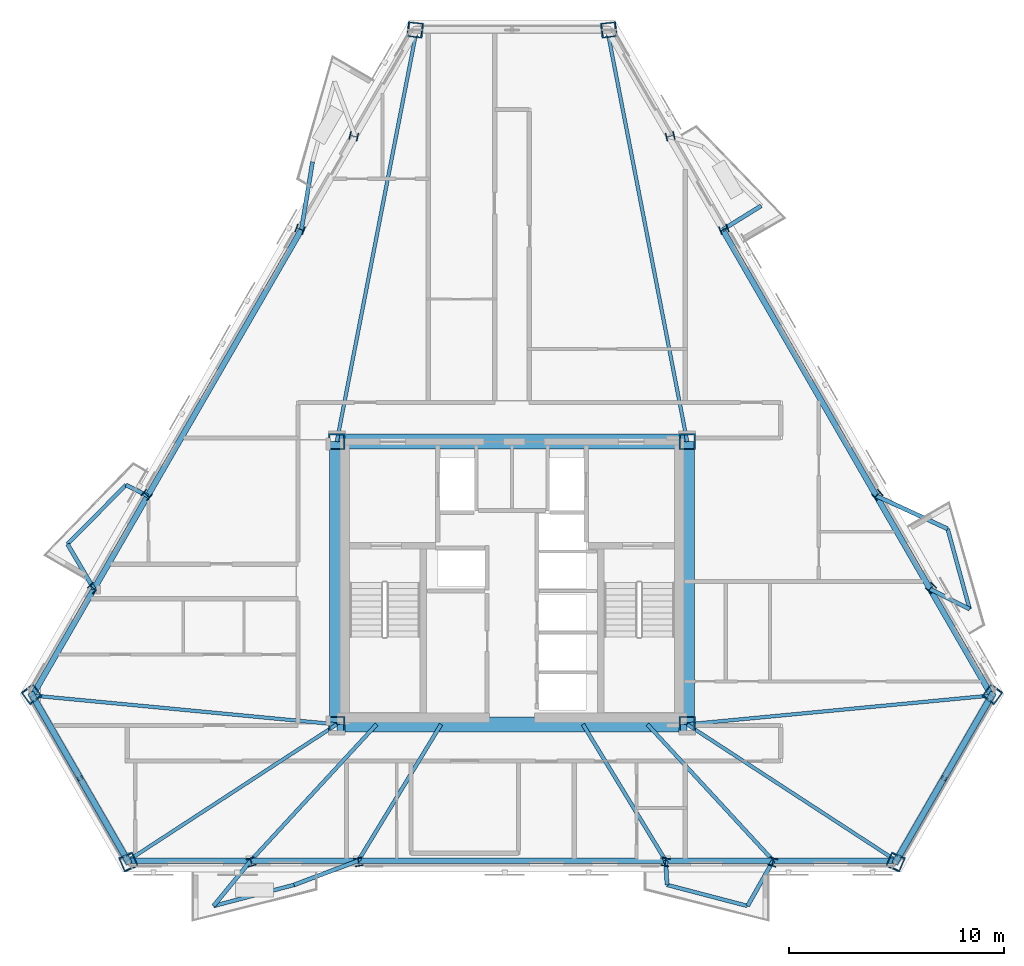
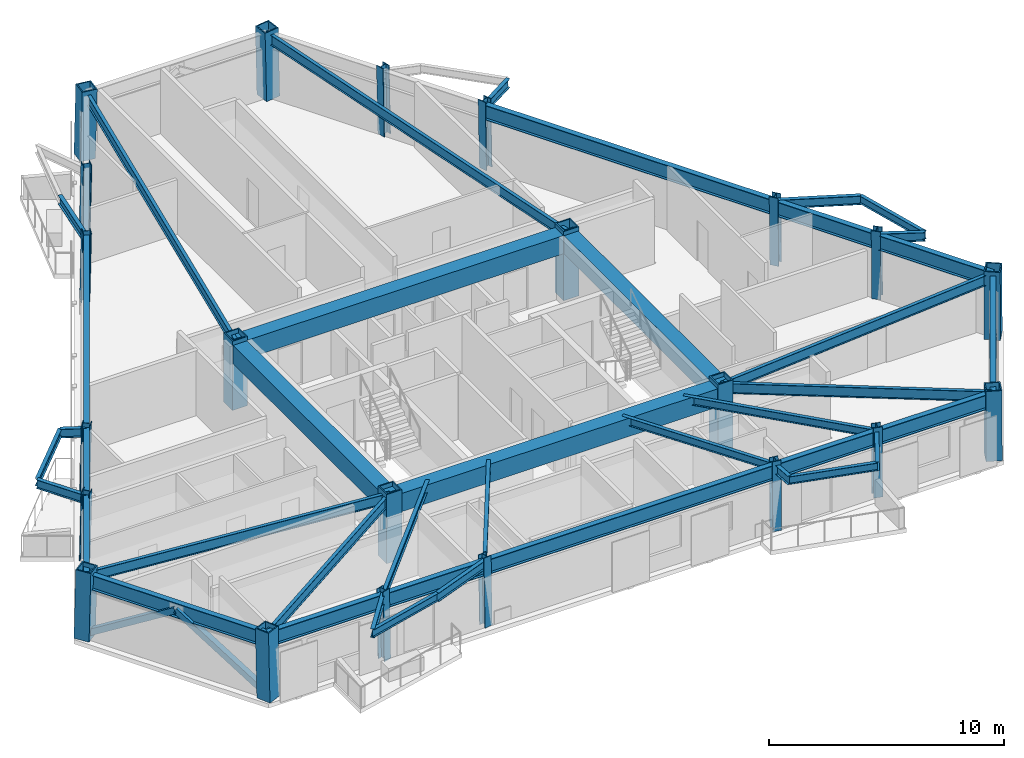
# One storey, part 1 of 9: 41 beams, 22 columns, 4 members.
"""IFC4 building model written with IfcOpenShell, lengths in metres."""

from ifc_helpers import new_model, si_unit, direction, frame, origin, origin_2d, place, context, subcontext, project, spatial, rectangle, hollow_rectangle, i_section, extrude, material, material_profile, profile_set, type_object, element, save


model = new_model("IFC4")

# Units and contexts
model_context = context("Model", 3, precision=1e-05, world=origin(), true_north=direction((0.0, 1.0)))
body_context = subcontext(model_context, "Body", "Model", "MODEL_VIEW")
ifc_project = project(units=[si_unit("LENGTHUNIT", "METRE"), si_unit("AREAUNIT", "SQUARE_METRE"), si_unit("VOLUMEUNIT", "CUBIC_METRE"), si_unit("PLANEANGLEUNIT", "RADIAN"), si_unit("MASSUNIT", "GRAM", prefix="KILO")], contexts=[model_context])

# Site, building, storey
site_placement = place(None, origin())
site = spatial("IfcSite", under=ifc_project, at=site_placement, CompositionType="ELEMENT")
building_placement = place(site_placement, origin())
building = spatial("IfcBuilding", under=site, at=building_placement, Name="Oramaril Tower", CompositionType="ELEMENT")
storey_placement = place(building_placement, frame((0.0, 0.0, 160.199951171875)))
storey = spatial("IfcBuildingStorey", under=building, at=storey_placement, Name="L42", CompositionType="ELEMENT", Elevation=160.199951171875)

# Columns
ifc_material_1 = material(Name="Steel ASTM A572 Gr 50", Category="steel")
ifc_material_profile_1 = material_profile(ifc_material_1, hollow_rectangle(XDim=0.75, YDim=0.75, WallThickness=0.06005859375, at=origin_2d()), Name="BOX750X750X60")
ifc_profile_set_1 = profile_set([ifc_material_profile_1], Name="Steel ASTM A572 Gr 50")
column_type_1 = type_object("IfcColumnType", Name="CT-CC4", PredefinedType="COLUMN", material=ifc_profile_set_1)
for number, where, z_axis, x_axis, name in (
    (1, (29.35009765625, 11.0, 0.0), (0.0, 0.0, 1.0), (1.0, 0.0, 0.0), "L42 Core Column CC-1"),
    (2, (45.64990234375, 11.0, 0.0), (0.0, 0.0, 1.0), (1.0, 0.0, 0.0), "L42 Core Column CC-2"),
    (3, (45.64990234375, 24.14990234375, 0.0), (0.0, 0.0, 1.0), (1.0, 0.0, 0.0), "L42 Core Column CC-3"),
    (4, (29.35009765625, 24.14990234375, 0.0), (0.0, 0.0, 1.0), (1.0, 0.0, 0.0), "L42 Core Column CC-4"),
):
    element("IfcColumn", number, at=place(storey_placement, frame(where, z_axis=z_axis, x_axis=x_axis)), inside=storey, type_object=column_type_1, Name=name, PredefinedType="COLUMN", context=body_context, shape_type="SweptSolid", body=[
        extrude(hollow_rectangle(XDim=0.75, YDim=0.75, WallThickness=0.06005859375, at=origin_2d()), origin(), (0.0, 0.0, 1.0), 3.60009765625),
    ])
ifc_material_2 = material(Name="Steel ASTM A572 Gr 50", Category="steel")
ifc_material_profile_2 = material_profile(ifc_material_2, hollow_rectangle(XDim=0.699951171875, YDim=0.699951171875, WallThickness=0.054931640625, at=origin_2d()), Name="BOX700X700X55")
ifc_profile_set_2 = profile_set([ifc_material_profile_2], Name="Steel ASTM A572 Gr 50")
column_type_2 = type_object("IfcColumnType", Name="CT-TC4", PredefinedType="COLUMN", material=ifc_profile_set_2)
for number, where, z_axis, x_axis, name in (
    (5, (15.14697265625, 12.409912109375, 0.004638671875), (0.013594494866, -0.018352568069, 0.999739152457), (0.803557193345, 0.595227550626, 0.0), "L42 Tube Column TC-01"),
    (6, (19.663818359375, 4.586669921875, 0.004638671875), (-0.009108300261, 0.021003468513, 0.999737912243), (-0.91744727104, -0.397857392619, 0.0), "L42 Tube Column TC-02"),
    (7, (55.336181640625, 4.586669921875, 0.004638671875), (0.009108300261, 0.021003468513, 0.999737912243), (-0.91744727104, 0.397857392619, 0.0), "L42 Tube Column TC-03"),
    (8, (59.85302734375, 12.409912109375, 0.004638671875), (-0.013594494866, -0.018352568069, 0.999739152457), (0.803557193345, -0.595227550626, 0.0), "L42 Tube Column TC-04"),
    (9, (42.016845703125, 43.303466796875, 0.004638671875), (-0.022702797143, -0.002650925415, 0.999738743671), (0.115978494808, -0.993251724762, 0.0), "L42 Tube Column TC-05"),
    (10, (32.983154296875, 43.303466796875, 0.004638671875), (0.022702797143, -0.002650925415, 0.999738743671), (0.115978494808, 0.993251724762, 0.0), "L42 Tube Column TC-06"),
):
    element("IfcColumn", number, at=place(storey_placement, frame(where, z_axis=z_axis, x_axis=x_axis)), inside=storey, type_object=column_type_2, Name=name, PredefinedType="COLUMN", context=body_context, shape_type="SweptSolid", body=[
        extrude(hollow_rectangle(XDim=0.699951171875, YDim=0.699951171875, WallThickness=0.054931640625, at=origin_2d()), origin(), (0.0, 0.0, 1.0), 3.591796875),
    ])
ifc_material_3 = material(Name="Steel ASTM A572 Gr 50", Category="steel")
ifc_material_profile_3 = material_profile(ifc_material_3, i_section(OverallWidth=0.39892578125, OverallDepth=0.385986328125, WebThickness=0.02099609375, FlangeThickness=0.033203125, at=origin_2d()), Name="W14X176")
ifc_profile_set_3 = profile_set([ifc_material_profile_3], Name="Steel ASTM A572 Gr 50")
column_type_3 = type_object("IfcColumnType", Name="CT-TF4", PredefinedType="COLUMN", material=ifc_profile_set_3)
column_1_placement = place(storey_placement, frame((25.371337890625, 4.586669921875, 0.004638671875), z_axis=(-0.006185625744, 0.021003937965, 0.999760257574), x_axis=(-0.95926657572, -0.282502454338, 0.0)))
element("IfcColumn", 11, at=column_1_placement, inside=storey, type_object=column_type_3, Name="L42 Tube Column TC-07", PredefinedType="COLUMN", context=body_context, shape_type="SweptSolid", body=[
    extrude(i_section(OverallWidth=0.39892578125, OverallDepth=0.385986328125, WebThickness=0.02099609375, FlangeThickness=0.033203125, at=origin_2d()), origin(), (0.0, 0.0, 1.0), 3.591796875),
])
for number, where, z_axis, x_axis, name in (
    (12, (30.365478515625, 4.586669921875, 0.004638671875), (-0.003670636596, 0.0210041983, 0.999772649196), (-0.985071038124, -0.17214833676, 0.0), "L42 Tube Column TC-08"),
    (13, (44.634521484375, 4.586669921875, 0.004638671875), (0.003670636596, 0.0210041983, 0.999772649196), (-0.985071038124, 0.17214833676, 0.0), "L42 Tube Column TC-09"),
):
    element("IfcColumn", number, at=place(storey_placement, frame(where, z_axis=z_axis, x_axis=x_axis)), inside=storey, type_object=column_type_3, Name=name, PredefinedType="COLUMN", context=body_context, shape_type="SweptSolid", body=[
        extrude(i_section(OverallWidth=0.39892578125, OverallDepth=0.385986328125, WebThickness=0.02099609375, FlangeThickness=0.033203125, at=origin_2d()), origin(), (0.0, 0.0, 1.0), 3.591552734375),
    ])
for number, where, z_axis, x_axis, name in (
    (14, (49.628662109375, 4.586669921875, 0.004638671875), (0.006185625744, 0.021003937965, 0.999760257574), (-0.95926657572, 0.282502454338, 0.0), "L42 Tube Column TC-10"),
    (15, (56.999267578125, 17.352783203125, 0.004638671875), (-0.015022255883, -0.015837943985, 0.99976171729), (0.72554342724, -0.688176383777, 0.0), "L42 Tube Column TC-11"),
):
    element("IfcColumn", number, at=place(storey_placement, frame(where, z_axis=z_axis, x_axis=x_axis)), inside=storey, type_object=column_type_3, Name=name, PredefinedType="COLUMN", context=body_context, shape_type="SweptSolid", body=[
        extrude(i_section(OverallWidth=0.39892578125, OverallDepth=0.385986328125, WebThickness=0.02099609375, FlangeThickness=0.033203125, at=origin_2d()), origin(), (0.0, 0.0, 1.0), 3.591796875),
    ])
for number, where, z_axis, x_axis, name in (
    (16, (54.502197265625, 21.677978515625, 0.004638671875), (-0.016313955353, -0.013662937608, 0.999773563862), (0.642067671978, -0.766647966541, 0.0), "L42 Tube Column TC-12"),
    (17, (47.36767578125, 34.035400390625, 0.004638671875), (-0.019984590736, -0.00734127823, 0.999773335195), (0.34481746268, -0.938669759517, 0.0), "L42 Tube Column TC-13"),
):
    element("IfcColumn", number, at=place(storey_placement, frame(where, z_axis=z_axis, x_axis=x_axis)), inside=storey, type_object=column_type_3, Name=name, PredefinedType="COLUMN", context=body_context, shape_type="SweptSolid", body=[
        extrude(i_section(OverallWidth=0.39892578125, OverallDepth=0.385986328125, WebThickness=0.02099609375, FlangeThickness=0.033203125, at=origin_2d()), origin(), (0.0, 0.0, 1.0), 3.591552734375),
    ])
for number, where, z_axis, x_axis, name in (
    (18, (44.87060546875, 38.360595703125, 0.004638671875), (-0.021275834438, -0.005166017308, 0.999760296838), (0.235955445557, -0.971763874463, 0.0), "L42 Tube Column TC-14"),
    (19, (30.12939453125, 38.360595703125, 0.004638671875), (0.021275834438, -0.005166017308, 0.999760296838), (0.235955445557, 0.971763874463, 0.0), "L42 Tube Column TC-15"),
):
    element("IfcColumn", number, at=place(storey_placement, frame(where, z_axis=z_axis, x_axis=x_axis)), inside=storey, type_object=column_type_3, Name=name, PredefinedType="COLUMN", context=body_context, shape_type="SweptSolid", body=[
        extrude(i_section(OverallWidth=0.39892578125, OverallDepth=0.385986328125, WebThickness=0.02099609375, FlangeThickness=0.033203125, at=origin_2d()), origin(), (0.0, 0.0, 1.0), 3.591796875),
    ])
for number, where, z_axis, x_axis, name in (
    (20, (27.63232421875, 34.035400390625, 0.004638671875), (0.019984590736, -0.00734127823, 0.999773335195), (0.34481746268, 0.938669759517, 0.0), "L42 Tube Column TC-16"),
    (21, (20.497802734375, 21.677978515625, 0.004638671875), (0.016313955353, -0.013662937608, 0.999773563862), (0.642067671978, 0.766647966541, 0.0), "L42 Tube Column TC-17"),
):
    element("IfcColumn", number, at=place(storey_placement, frame(where, z_axis=z_axis, x_axis=x_axis)), inside=storey, type_object=column_type_3, Name=name, PredefinedType="COLUMN", context=body_context, shape_type="SweptSolid", body=[
        extrude(i_section(OverallWidth=0.39892578125, OverallDepth=0.385986328125, WebThickness=0.02099609375, FlangeThickness=0.033203125, at=origin_2d()), origin(), (0.0, 0.0, 1.0), 3.591552734375),
    ])
column_2_placement = place(storey_placement, frame((18.000732421875, 17.352783203125, 0.004638671875), z_axis=(0.015022255883, -0.015837943985, 0.99976171729), x_axis=(0.72554342724, 0.688176383777, 0.0)))
element("IfcColumn", 22, at=column_2_placement, inside=storey, type_object=column_type_3, Name="L42 Tube Column TC-18", PredefinedType="COLUMN", context=body_context, shape_type="SweptSolid", body=[
    extrude(i_section(OverallWidth=0.39892578125, OverallDepth=0.385986328125, WebThickness=0.02099609375, FlangeThickness=0.033203125, at=origin_2d()), origin(), (0.0, 0.0, 1.0), 3.591796875),
])

# Beams
ifc_material_4 = material(Name="Steel ASTM A572 Gr 50", Category="steel")
ifc_material_profile_4 = material_profile(ifc_material_4, i_section(OverallWidth=0.19091796875, OverallDepth=0.45703125, WebThickness=0.009033203125, FlangeThickness=0.014404296875, at=origin_2d()), Name="W18X50")
ifc_profile_set_4 = profile_set([ifc_material_profile_4], Name="Steel ASTM A572 Gr 50")
beam_type_1 = type_object("IfcBeamType", Name="BT-BB1", PredefinedType="BEAM", material=ifc_profile_set_4)
beam_1_placement = place(storey_placement, frame((25.34912109375, 4.662109375, 3.151611328125), z_axis=(-0.634523706341, -0.772903400233, 0.0), x_axis=(0.772903400233, -0.634523706341, 0.0)))
element("IfcBeam", 23, at=beam_1_placement, inside=storey, type_object=beam_type_1, Name="L42 Balcony Column-Framed Cantilever 01.1", PredefinedType="BEAM", context=body_context, shape_type="SweptSolid", body=[
    extrude(i_section(OverallWidth=0.19091796875, OverallDepth=0.45703125, WebThickness=0.009033203125, FlangeThickness=0.014404296875, at=origin_2d()), origin(), (0.0, 0.0, 1.0), 2.7275390625),
])
beam_2_placement = place(storey_placement, frame((30.352294921875, 4.662109375, 3.151611328125), z_axis=(-0.935614573899, -0.353023184942, 0.0), x_axis=(0.353023184942, -0.935614573899, 0.0)))
element("IfcBeam", 24, at=beam_2_placement, inside=storey, type_object=beam_type_1, Name="L42 Balcony Column-Framed Cantilever 01.2", PredefinedType="BEAM", context=body_context, shape_type="SweptSolid", body=[
    extrude(i_section(OverallWidth=0.19091796875, OverallDepth=0.45703125, WebThickness=0.009033203125, FlangeThickness=0.014404296875, at=origin_2d()), origin(), (0.0, 0.0, 1.0), 3.19580078125),
])
beam_3_placement = place(storey_placement, frame((44.647705078125, 4.662109375, 3.151611328125), z_axis=(0.057468165389, -0.99834733934, 0.0), x_axis=(0.99834733934, 0.057468165389, 0.0)))
element("IfcBeam", 25, at=beam_3_placement, inside=storey, type_object=beam_type_1, Name="L42 Balcony Column-Framed Cantilever 02.1", PredefinedType="BEAM", context=body_context, shape_type="SweptSolid", body=[
    extrude(i_section(OverallWidth=0.19091796875, OverallDepth=0.45703125, WebThickness=0.009033203125, FlangeThickness=0.014404296875, at=origin_2d()), origin(), (0.0, 0.0, 1.0), 1.130126953125),
])
beam_4_placement = place(storey_placement, frame((49.65087890625, 4.662109375, 3.151611328125), z_axis=(-0.492923587723, -0.87007260425, 0.0), x_axis=(0.87007260425, -0.492923587723, 0.0)))
element("IfcBeam", 26, at=beam_4_placement, inside=storey, type_object=beam_type_1, Name="L42 Balcony Column-Framed Cantilever 02.2", PredefinedType="BEAM", context=body_context, shape_type="SweptSolid", body=[
    extrude(i_section(OverallWidth=0.19091796875, OverallDepth=0.45703125, WebThickness=0.009033203125, FlangeThickness=0.014404296875, at=origin_2d()), origin(), (0.0, 0.0, 1.0), 2.4228515625),
])
beam_5_placement = place(storey_placement, frame((56.9453125, 17.2958984375, 3.151611328125), z_axis=(0.891740153383, -0.452547786256, 0.0), x_axis=(0.452547786256, 0.891740153383, 0.0)))
element("IfcBeam", 27, at=beam_5_placement, inside=storey, type_object=beam_type_1, Name="L42 Balcony Column-Framed Cantilever 03.1", PredefinedType="BEAM", context=body_context, shape_type="SweptSolid", body=[
    extrude(i_section(OverallWidth=0.19091796875, OverallDepth=0.45703125, WebThickness=0.009033203125, FlangeThickness=0.014404296875, at=origin_2d()), origin(), (0.0, 0.0, 1.0), 2.065673828125),
])
beam_6_placement = place(storey_placement, frame((54.443603515625, 21.62890625, 3.151611328125), z_axis=(0.907664222993, -0.419697103037, 0.0), x_axis=(0.419697103037, 0.907664222993, 0.0)))
element("IfcBeam", 28, at=beam_6_placement, inside=storey, type_object=beam_type_1, Name="L42 Balcony Column-Framed Cantilever 03.2", PredefinedType="BEAM", context=body_context, shape_type="SweptSolid", body=[
    extrude(i_section(OverallWidth=0.19091796875, OverallDepth=0.45703125, WebThickness=0.009033203125, FlangeThickness=0.014404296875, at=origin_2d()), origin(), (0.0, 0.0, 1.0), 3.658447265625),
])
beam_7_placement = place(storey_placement, frame((47.2958984375, 34.009033203125, 3.151611328125), z_axis=(0.8502602126, 0.526362584982, 0.0), x_axis=(-0.526362584982, 0.8502602126, 0.0)))
element("IfcBeam", 29, at=beam_7_placement, inside=storey, type_object=beam_type_1, Name="L42 Balcony Column-Framed Cantilever 04.1", PredefinedType="BEAM", context=body_context, shape_type="SweptSolid", body=[
    extrude(i_section(OverallWidth=0.19091796875, OverallDepth=0.45703125, WebThickness=0.009033203125, FlangeThickness=0.014404296875, at=origin_2d()), origin(), (0.0, 0.0, 1.0), 2.109130859375),
])
beam_8_placement = place(storey_placement, frame((27.7041015625, 34.009033203125, 3.151611328125), z_axis=(0.162118963304, 0.986771220566, 0.0), x_axis=(-0.986771220566, 0.162118963304, 0.0)))
element("IfcBeam", 30, at=beam_8_placement, inside=storey, type_object=beam_type_1, Name="L42 Balcony Column-Framed Cantilever 05.2", PredefinedType="BEAM", context=body_context, shape_type="SweptSolid", body=[
    extrude(i_section(OverallWidth=0.19091796875, OverallDepth=0.45703125, WebThickness=0.009033203125, FlangeThickness=0.014404296875, at=origin_2d()), origin(), (0.0, 0.0, 1.0), 3.195556640625),
])
beam_9_placement = place(storey_placement, frame((20.556396484375, 21.62890625, 3.151611328125), z_axis=(-0.893300719063, 0.44945948129, 0.0), x_axis=(-0.44945948129, -0.893300719063, 0.0)))
element("IfcBeam", 31, at=beam_9_placement, inside=storey, type_object=beam_type_1, Name="L42 Balcony Column-Framed Cantilever 06.1", PredefinedType="BEAM", context=body_context, shape_type="SweptSolid", body=[
    extrude(i_section(OverallWidth=0.19091796875, OverallDepth=0.45703125, WebThickness=0.009033203125, FlangeThickness=0.014404296875, at=origin_2d()), origin(), (0.0, 0.0, 1.0), 1.1298828125),
])
beam_10_placement = place(storey_placement, frame((18.0546875, 17.2958984375, 3.151611328125), z_axis=(-0.506962876892, 0.861967888876, 0.0), x_axis=(-0.861967888876, -0.506962876892, 0.0)))
element("IfcBeam", 32, at=beam_10_placement, inside=storey, type_object=beam_type_1, Name="L42 Balcony Column-Framed Cantilever 06.2", PredefinedType="BEAM", context=body_context, shape_type="SweptSolid", body=[
    extrude(i_section(OverallWidth=0.19091796875, OverallDepth=0.45703125, WebThickness=0.009033203125, FlangeThickness=0.014404296875, at=origin_2d()), origin(), (0.0, 0.0, 1.0), 2.4228515625),
])
ifc_material_5 = material(Name="Concrete C50/60", Category="concrete")
ifc_material_profile_5 = material_profile(ifc_material_5, rectangle(XDim=0.699951171875, YDim=0.949951171875, at=origin_2d()), Name="CB700X950")
ifc_profile_set_5 = profile_set([ifc_material_profile_5], Name="Concrete C50/60")
beam_type_2 = type_object("IfcBeamType", Name="BT-CB1", PredefinedType="BEAM", material=ifc_profile_set_5)
beam_11_placement = place(storey_placement, frame((29.35009765625, 11.0, 2.905029296875), z_axis=(1.0, 0.0, 0.0), x_axis=(0.0, 1.0, 0.0)))
element("IfcBeam", 33, at=beam_11_placement, inside=storey, type_object=beam_type_2, Name="L42 Core Header Beam CB-1", PredefinedType="BEAM", context=body_context, shape_type="SweptSolid", body=[
    extrude(rectangle(XDim=0.699951171875, YDim=0.949951171875, at=origin_2d()), origin(), (0.0, 0.0, 1.0), 16.2998046875),
])
beam_12_placement = place(storey_placement, frame((45.64990234375, 11.0, 2.905029296875), z_axis=(0.0, 1.0, 0.0), x_axis=(-1.0, 0.0, 0.0)))
element("IfcBeam", 34, at=beam_12_placement, inside=storey, type_object=beam_type_2, Name="L42 Core Header Beam CB-2", PredefinedType="BEAM", context=body_context, shape_type="SweptSolid", body=[
    extrude(rectangle(XDim=0.699951171875, YDim=0.949951171875, at=origin_2d()), origin(), (0.0, 0.0, 1.0), 13.14990234375),
])
beam_13_placement = place(storey_placement, frame((45.64990234375, 24.14990234375, 2.905029296875), z_axis=(-1.0, 0.0, 0.0), x_axis=(0.0, -1.0, 0.0)))
element("IfcBeam", 35, at=beam_13_placement, inside=storey, type_object=beam_type_2, Name="L42 Core Header Beam CB-3", PredefinedType="BEAM", context=body_context, shape_type="SweptSolid", body=[
    extrude(rectangle(XDim=0.699951171875, YDim=0.949951171875, at=origin_2d()), origin(), (0.0, 0.0, 1.0), 16.2998046875),
])
beam_14_placement = place(storey_placement, frame((29.35009765625, 24.14990234375, 2.905029296875), z_axis=(0.0, -1.0, 0.0), x_axis=(1.0, 0.0, 0.0)))
element("IfcBeam", 36, at=beam_14_placement, inside=storey, type_object=beam_type_2, Name="L42 Core Header Beam CB-4", PredefinedType="BEAM", context=body_context, shape_type="SweptSolid", body=[
    extrude(rectangle(XDim=0.699951171875, YDim=0.949951171875, at=origin_2d()), origin(), (0.0, 0.0, 1.0), 13.14990234375),
])
ifc_material_6 = material(Name="Steel ASTM A572 Gr 50", Category="steel")
ifc_material_profile_6 = material_profile(ifc_material_6, i_section(OverallWidth=0.166015625, OverallDepth=0.528076171875, WebThickness=0.009765625, FlangeThickness=0.013671875, at=origin_2d()), Name="W21X50")
ifc_profile_set_6 = profile_set([ifc_material_profile_6], Name="Steel ASTM A572 Gr 50")
beam_type_3 = type_object("IfcBeamType", Name="BT-FB3", PredefinedType="BEAM", material=ifc_profile_set_6)
beam_15_placement = place(storey_placement, frame((29.35009765625, 11.0, 3.115966796875), z_axis=(-0.995522212364, 0.094527904289, 0.0), x_axis=(-0.094527904289, -0.995522212364, 0.0)))
element("IfcBeam", 37, at=beam_15_placement, inside=storey, type_object=beam_type_3, Name="L42 Radial Primary Beam RB-01", PredefinedType="BEAM", context=body_context, shape_type="SweptSolid", body=[
    extrude(i_section(OverallWidth=0.166015625, OverallDepth=0.528076171875, WebThickness=0.009765625, FlangeThickness=0.013671875, at=origin_2d()), origin(), (0.0, 0.0, 1.0), 14.218017578125),
])
for number, where, z_axis, x_axis, name in (
    (38, (29.35009765625, 11.0, 3.115966796875), (-0.837633618751, -0.546232478655, 0.0), (0.546232478655, -0.837633618751, 0.0), "L42 Radial Primary Beam RB-02"),
    (39, (45.64990234375, 11.0, 3.115966796875), (0.837633618751, -0.546232478655, 0.0), (0.546232478655, 0.837633618751, 0.0), "L42 Radial Primary Beam RB-03"),
):
    element("IfcBeam", number, at=place(storey_placement, frame(where, z_axis=z_axis, x_axis=x_axis)), inside=storey, type_object=beam_type_3, Name=name, PredefinedType="BEAM", context=body_context, shape_type="SweptSolid", body=[
        extrude(i_section(OverallWidth=0.166015625, OverallDepth=0.528076171875, WebThickness=0.009765625, FlangeThickness=0.013671875, at=origin_2d()), origin(), (0.0, 0.0, 1.0), 11.60302734375),
    ])
beam_16_placement = place(storey_placement, frame((45.64990234375, 11.0, 3.115966796875), z_axis=(0.995522212364, 0.094527904289, 0.0), x_axis=(-0.094527904289, 0.995522212364, 0.0)))
element("IfcBeam", 40, at=beam_16_placement, inside=storey, type_object=beam_type_3, Name="L42 Radial Primary Beam RB-04", PredefinedType="BEAM", context=body_context, shape_type="SweptSolid", body=[
    extrude(i_section(OverallWidth=0.166015625, OverallDepth=0.528076171875, WebThickness=0.009765625, FlangeThickness=0.013671875, at=origin_2d()), origin(), (0.0, 0.0, 1.0), 14.218017578125),
])
for number, where, z_axis, x_axis, name in (
    (41, (45.64990234375, 24.14990234375, 3.115966796875), (-0.190481610107, 0.981690764045, 0.0), (-0.981690764045, -0.190481610107, 0.0), "L42 Radial Primary Beam RB-05"),
    (42, (29.35009765625, 24.14990234375, 3.115966796875), (0.190481610107, 0.981690764045, 0.0), (-0.981690764045, 0.190481610107, 0.0), "L42 Radial Primary Beam RB-06"),
):
    element("IfcBeam", number, at=place(storey_placement, frame(where, z_axis=z_axis, x_axis=x_axis)), inside=storey, type_object=beam_type_3, Name=name, PredefinedType="BEAM", context=body_context, shape_type="SweptSolid", body=[
        extrude(i_section(OverallWidth=0.166015625, OverallDepth=0.528076171875, WebThickness=0.009765625, FlangeThickness=0.013671875, at=origin_2d()), origin(), (0.0, 0.0, 1.0), 19.5009765625),
    ])
ifc_material_7 = material(Name="Steel ASTM A572 Gr 50", Category="steel")
ifc_material_profile_7 = material_profile(ifc_material_7, i_section(OverallWidth=0.177978515625, OverallDepth=0.404052734375, WebThickness=0.007568359375, FlangeThickness=0.010986328125, at=origin_2d()), Name="W16X36")
ifc_profile_set_7 = profile_set([ifc_material_profile_7], Name="Steel ASTM A572 Gr 50")
beam_type_4 = type_object("IfcBeamType", Name="BT-SB1", PredefinedType="BEAM", material=ifc_profile_set_7)
beam_17_placement = place(storey_placement, frame((31.199951171875, 11.0, 3.177978515625), z_axis=(-0.678309491507, -0.73477631544, 0.0), x_axis=(0.73477631544, -0.678309491507, 0.0)))
element("IfcBeam", 43, at=beam_17_placement, inside=storey, type_object=beam_type_4, Name="L42 Secondary Floor Beam SB-01", PredefinedType="BEAM", context=body_context, shape_type="SweptSolid", body=[
    extrude(i_section(OverallWidth=0.177978515625, OverallDepth=0.404052734375, WebThickness=0.007568359375, FlangeThickness=0.010986328125, at=origin_2d()), origin(), (0.0, 0.0, 1.0), 8.62548828125),
])
for number, where, z_axis, x_axis, name in (
    (44, (34.199951171875, 11.0, 3.177978515625), (-0.518943763596, -0.854808382168, 0.0), (0.854808382168, -0.518943763596, 0.0), "L42 Secondary Floor Beam SB-02"),
    (45, (40.800048828125, 11.0, 3.177978515625), (0.518943763596, -0.854808382168, 0.0), (0.854808382168, 0.518943763596, 0.0), "L42 Secondary Floor Beam SB-03"),
):
    element("IfcBeam", number, at=place(storey_placement, frame(where, z_axis=z_axis, x_axis=x_axis)), inside=storey, type_object=beam_type_4, Name=name, PredefinedType="BEAM", context=body_context, shape_type="SweptSolid", body=[
        extrude(i_section(OverallWidth=0.177978515625, OverallDepth=0.404052734375, WebThickness=0.007568359375, FlangeThickness=0.010986328125, at=origin_2d()), origin(), (0.0, 0.0, 1.0), 7.414306640625),
    ])
beam_18_placement = place(storey_placement, frame((43.800048828125, 11.0, 3.177978515625), z_axis=(0.678309491507, -0.73477631544, 0.0), x_axis=(0.73477631544, 0.678309491507, 0.0)))
element("IfcBeam", 46, at=beam_18_placement, inside=storey, type_object=beam_type_4, Name="L42 Secondary Floor Beam SB-04", PredefinedType="BEAM", context=body_context, shape_type="SweptSolid", body=[
    extrude(i_section(OverallWidth=0.177978515625, OverallDepth=0.404052734375, WebThickness=0.007568359375, FlangeThickness=0.010986328125, at=origin_2d()), origin(), (0.0, 0.0, 1.0), 8.62548828125),
])
for number, where, z_axis, x_axis, name in (
    (47, (23.618408203125, 2.553955078125, 3.177978515625), (0.967407922874, 0.253223045479, 0.0), (-0.253223045479, 0.967407922874, 0.0), "L42 Balcony Edge Tie Beam 01"),
    (48, (44.712646484375, 3.533935546875, 3.177978515625), (0.967407922874, -0.253223045479, 0.0), (0.253223045479, 0.967407922874, 0.0), "L42 Balcony Edge Tie Beam 02"),
    (49, (58.787353515625, 16.361083984375, 3.177978515625), (-0.264382243015, 0.964417974521, 0.0), (-0.964417974521, -0.264382243015, 0.0), "L42 Balcony Edge Tie Beam 03"),
    (50, (19.547119140625, 22.13671875, 3.177978515625), (-0.702994511648, -0.71119527318, 0.0), (0.71119527318, -0.702994511648, 0.0), "L42 Balcony Edge Tie Beam 06"),
):
    element("IfcBeam", number, at=place(storey_placement, frame(where, z_axis=z_axis, x_axis=x_axis)), inside=storey, type_object=beam_type_4, Name=name, PredefinedType="BEAM", context=body_context, shape_type="SweptSolid", body=[
        extrude(i_section(OverallWidth=0.177978515625, OverallDepth=0.404052734375, WebThickness=0.007568359375, FlangeThickness=0.010986328125, at=origin_2d()), origin(), (0.0, 0.0, 1.0), 3.8701171875),
    ])
ifc_material_8 = material(Name="Steel ASTM A572 Gr 50", Category="steel")
ifc_material_profile_8 = material_profile(ifc_material_8, i_section(OverallWidth=0.26708984375, OverallDepth=0.77001953125, WebThickness=0.015625, FlangeThickness=0.025390625, at=origin_2d()), Name="W30X132")
ifc_profile_set_8 = profile_set([ifc_material_profile_8], Name="Steel ASTM A572 Gr 50")
beam_type_5 = type_object("IfcBeamType", Name="BT-SP3", PredefinedType="SPANDREL", material=ifc_profile_set_8)
beam_19_placement = place(storey_placement, frame((15.19580078125, 12.343994140625, 2.9951171875), z_axis=(0.500013908369, -0.866017373635, 0.0), x_axis=(0.866017373635, 0.500013908369, 0.0)))
element("IfcBeam", 51, at=beam_19_placement, inside=storey, type_object=beam_type_5, Name="L42 Perimeter Spandrel 01", PredefinedType="SPANDREL", context=body_context, shape_type="SweptSolid", body=[
    extrude(i_section(OverallWidth=0.26708984375, OverallDepth=0.77001953125, WebThickness=0.015625, FlangeThickness=0.025390625, at=origin_2d()), origin(), (0.0, 0.0, 1.0), 8.870361328125),
])
beam_20_placement = place(storey_placement, frame((19.631103515625, 4.662109375, 2.9951171875), z_axis=(1.0, 0.0, 0.0), x_axis=(0.0, 1.0, 0.0)))
element("IfcBeam", 52, at=beam_20_placement, inside=storey, type_object=beam_type_5, Name="L42 Perimeter Spandrel 02", PredefinedType="SPANDREL", context=body_context, shape_type="SweptSolid", body=[
    extrude(i_section(OverallWidth=0.26708984375, OverallDepth=0.77001953125, WebThickness=0.015625, FlangeThickness=0.025390625, at=origin_2d()), origin(), (0.0, 0.0, 1.0), 5.718017578125),
])
beam_21_placement = place(storey_placement, frame((25.34912109375, 4.662109375, 2.9951171875), z_axis=(1.0, 0.0, 0.0), x_axis=(0.0, 1.0, 0.0)))
element("IfcBeam", 53, at=beam_21_placement, inside=storey, type_object=beam_type_5, Name="L42 Perimeter Spandrel 03", PredefinedType="SPANDREL", context=body_context, shape_type="SweptSolid", body=[
    extrude(i_section(OverallWidth=0.26708984375, OverallDepth=0.77001953125, WebThickness=0.015625, FlangeThickness=0.025390625, at=origin_2d()), origin(), (0.0, 0.0, 1.0), 5.003173828125),
])
beam_22_placement = place(storey_placement, frame((30.352294921875, 4.662109375, 2.9951171875), z_axis=(1.0, 0.0, 0.0), x_axis=(0.0, 1.0, 0.0)))
element("IfcBeam", 54, at=beam_22_placement, inside=storey, type_object=beam_type_5, Name="L42 Perimeter Spandrel 04", PredefinedType="SPANDREL", context=body_context, shape_type="SweptSolid", body=[
    extrude(i_section(OverallWidth=0.26708984375, OverallDepth=0.77001953125, WebThickness=0.015625, FlangeThickness=0.025390625, at=origin_2d()), origin(), (0.0, 0.0, 1.0), 14.29541015625),
])
beam_23_placement = place(storey_placement, frame((44.647705078125, 4.662109375, 2.9951171875), z_axis=(1.0, 0.0, 0.0), x_axis=(0.0, 1.0, 0.0)))
element("IfcBeam", 55, at=beam_23_placement, inside=storey, type_object=beam_type_5, Name="L42 Perimeter Spandrel 05", PredefinedType="SPANDREL", context=body_context, shape_type="SweptSolid", body=[
    extrude(i_section(OverallWidth=0.26708984375, OverallDepth=0.77001953125, WebThickness=0.015625, FlangeThickness=0.025390625, at=origin_2d()), origin(), (0.0, 0.0, 1.0), 5.003173828125),
])
beam_24_placement = place(storey_placement, frame((49.65087890625, 4.662109375, 2.9951171875), z_axis=(1.0, 0.0, 0.0), x_axis=(0.0, 1.0, 0.0)))
element("IfcBeam", 56, at=beam_24_placement, inside=storey, type_object=beam_type_5, Name="L42 Perimeter Spandrel 06", PredefinedType="SPANDREL", context=body_context, shape_type="SweptSolid", body=[
    extrude(i_section(OverallWidth=0.26708984375, OverallDepth=0.77001953125, WebThickness=0.015625, FlangeThickness=0.025390625, at=origin_2d()), origin(), (0.0, 0.0, 1.0), 5.718017578125),
])
beam_25_placement = place(storey_placement, frame((55.368896484375, 4.662109375, 2.9951171875), z_axis=(0.500013908369, 0.866017373635, 0.0), x_axis=(-0.866017373635, 0.500013908369, 0.0)))
element("IfcBeam", 57, at=beam_25_placement, inside=storey, type_object=beam_type_5, Name="L42 Perimeter Spandrel 07", PredefinedType="SPANDREL", context=body_context, shape_type="SweptSolid", body=[
    extrude(i_section(OverallWidth=0.26708984375, OverallDepth=0.77001953125, WebThickness=0.015625, FlangeThickness=0.025390625, at=origin_2d()), origin(), (0.0, 0.0, 1.0), 8.870361328125),
])
beam_26_placement = place(storey_placement, frame((59.80419921875, 12.343994140625, 2.9951171875), z_axis=(-0.499987334491, 0.866032716096, 0.0), x_axis=(-0.866032716096, -0.499987334491, 0.0)))
element("IfcBeam", 58, at=beam_26_placement, inside=storey, type_object=beam_type_5, Name="L42 Perimeter Spandrel 08", PredefinedType="SPANDREL", context=body_context, shape_type="SweptSolid", body=[
    extrude(i_section(OverallWidth=0.26708984375, OverallDepth=0.77001953125, WebThickness=0.015625, FlangeThickness=0.025390625, at=origin_2d()), origin(), (0.0, 0.0, 1.0), 5.718017578125),
])
beam_27_placement = place(storey_placement, frame((56.9453125, 17.2958984375, 2.9951171875), z_axis=(-0.500006859004, 0.866021443701, 0.0), x_axis=(-0.866021443701, -0.500006859004, 0.0)))
element("IfcBeam", 59, at=beam_27_placement, inside=storey, type_object=beam_type_5, Name="L42 Perimeter Spandrel 09", PredefinedType="SPANDREL", context=body_context, shape_type="SweptSolid", body=[
    extrude(i_section(OverallWidth=0.26708984375, OverallDepth=0.77001953125, WebThickness=0.015625, FlangeThickness=0.025390625, at=origin_2d()), origin(), (0.0, 0.0, 1.0), 5.00341796875),
])
for number, where, z_axis, x_axis, name in (
    (60, (54.443603515625, 21.62890625, 2.9951171875), (-0.500001859823, 0.866024330012, 0.0), (-0.866024330012, -0.500001859823, 0.0), "L42 Perimeter Spandrel 10"),
    (61, (27.7041015625, 34.009033203125, 2.9951171875), (-0.500001859823, -0.866024330012, 0.0), (0.866024330012, -0.500001859823, 0.0), "L42 Perimeter Spandrel 16"),
):
    element("IfcBeam", number, at=place(storey_placement, frame(where, z_axis=z_axis, x_axis=x_axis)), inside=storey, type_object=beam_type_5, Name=name, PredefinedType="SPANDREL", context=body_context, shape_type="SweptSolid", body=[
        extrude(i_section(OverallWidth=0.26708984375, OverallDepth=0.77001953125, WebThickness=0.015625, FlangeThickness=0.025390625, at=origin_2d()), origin(), (0.0, 0.0, 1.0), 14.29541015625),
    ])
beam_28_placement = place(storey_placement, frame((20.556396484375, 21.62890625, 2.9951171875), z_axis=(-0.500006859004, -0.866021443701, 0.0), x_axis=(0.866021443701, -0.500006859004, 0.0)))
element("IfcBeam", 62, at=beam_28_placement, inside=storey, type_object=beam_type_5, Name="L42 Perimeter Spandrel 17", PredefinedType="SPANDREL", context=body_context, shape_type="SweptSolid", body=[
    extrude(i_section(OverallWidth=0.26708984375, OverallDepth=0.77001953125, WebThickness=0.015625, FlangeThickness=0.025390625, at=origin_2d()), origin(), (0.0, 0.0, 1.0), 5.00341796875),
])
beam_29_placement = place(storey_placement, frame((18.0546875, 17.2958984375, 2.9951171875), z_axis=(-0.499987334491, -0.866032716096, 0.0), x_axis=(0.866032716096, -0.499987334491, 0.0)))
element("IfcBeam", 63, at=beam_29_placement, inside=storey, type_object=beam_type_5, Name="L42 Perimeter Spandrel 18", PredefinedType="SPANDREL", context=body_context, shape_type="SweptSolid", body=[
    extrude(i_section(OverallWidth=0.26708984375, OverallDepth=0.77001953125, WebThickness=0.015625, FlangeThickness=0.025390625, at=origin_2d()), origin(), (0.0, 0.0, 1.0), 5.718017578125),
])

# Members
ifc_material_9 = material(Name="Steel ASTM A572 Gr 50", Category="steel")
ifc_material_profile_9 = material_profile(ifc_material_9, hollow_rectangle(XDim=0.300048828125, YDim=0.300048828125, WallThickness=0.01611328125, at=origin_2d()), Name="HSS300X300X16")
ifc_profile_set_9 = profile_set([ifc_material_profile_9], Name="Steel ASTM A572 Gr 50")
member_type = type_object("IfcMemberType", Name="MT-KB2", PredefinedType="BRACE", material=ifc_profile_set_9)
for number, where, z_axis, x_axis, name in (
    (64, (15.14697265625, 12.409912109375, 0.179931640625), (0.424315968983, -0.734961130276, 0.528949993335), (0.866032566085, 0.499987594326, 0.0), "L42 Perimeter Chevron Brace KB-1A"),
    (65, (19.663818359375, 4.586669921875, 0.179931640625), (-0.424353580902, 0.734946824475, 0.52893969748), (-0.866009160645, -0.500028132888, 0.0), "L42 Perimeter Chevron Brace KB-1B"),
    (66, (55.336181640625, 4.586669921875, 0.179931640625), (0.424353580902, 0.734946824475, 0.52893969748), (-0.866009160645, 0.500028132888, 0.0), "L42 Perimeter Chevron Brace KB-2A"),
    (67, (59.85302734375, 12.409912109375, 0.179931640625), (-0.424315968983, -0.734961130276, 0.528949993335), (0.866032566085, -0.499987594326, 0.0), "L42 Perimeter Chevron Brace KB-2B"),
):
    element("IfcMember", number, at=place(storey_placement, frame(where, z_axis=z_axis, x_axis=x_axis)), inside=storey, type_object=member_type, Name=name, PredefinedType="BRACE", context=body_context, shape_type="SweptSolid", body=[
        extrude(hollow_rectangle(XDim=0.300048828125, YDim=0.300048828125, WallThickness=0.01611328125, at=origin_2d()), origin(), (0.0, 0.0, 1.0), 5.322265625),
    ])

save(model, "model.ifc")
